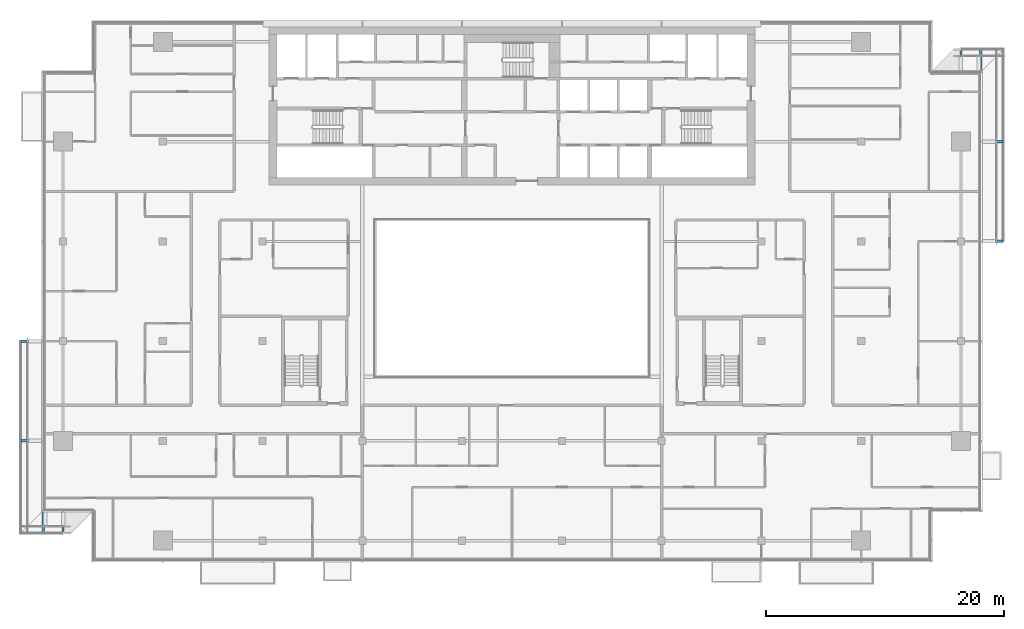
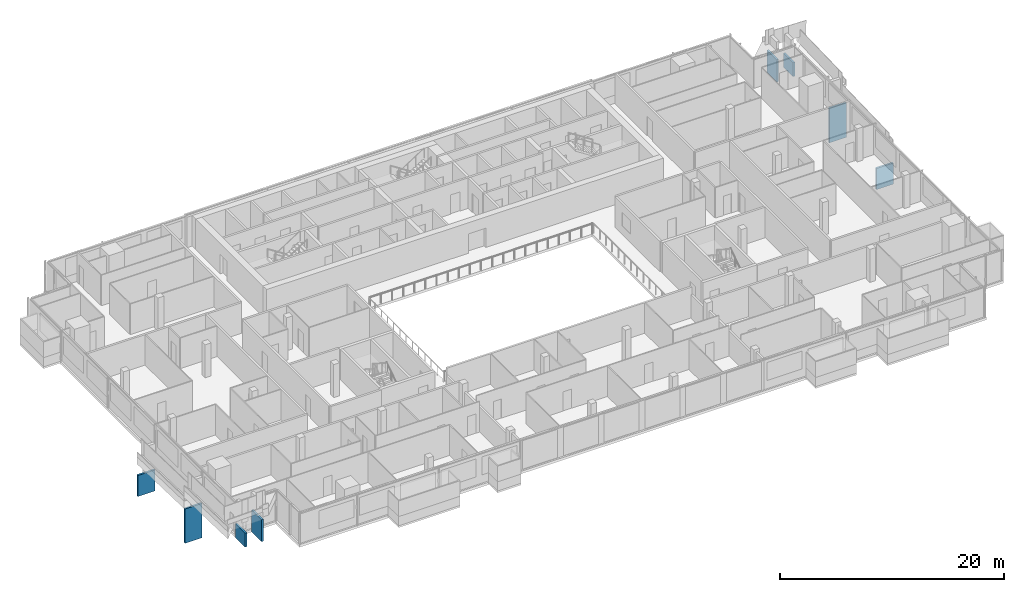
# One storey, part 26 of 30: 8 discrete accessories.
"""IFC4 building model written with IfcOpenShell, lengths in metres."""

from ifc_helpers import new_model, si_unit, direction, frame, origin, origin_2d, place, context, subcontext, project, spatial, rectangle, extrude, element, save


model = new_model("IFC4")

# Units and contexts
model_context = context("Model", 3, precision=1e-05, world=origin(), true_north=direction((0.0, 1.0)))
body_context = subcontext(model_context, "Body", "Model", "MODEL_VIEW")
ifc_project = project(units=[si_unit("LENGTHUNIT", "METRE"), si_unit("AREAUNIT", "SQUARE_METRE"), si_unit("VOLUMEUNIT", "CUBIC_METRE"), si_unit("PLANEANGLEUNIT", "RADIAN"), si_unit("MASSUNIT", "GRAM", prefix="KILO")], contexts=[model_context])

# Site, building, storey
site_placement = place(None, origin())
site = spatial("IfcSite", under=ifc_project, at=site_placement, CompositionType="ELEMENT")
building_placement = place(site_placement, origin())
building = spatial("IfcBuilding", under=site, at=building_placement, Name="Saffron Gate Tower", CompositionType="ELEMENT")
storey_placement = place(building_placement, frame((0.0, 0.0, 223.5)))
storey = spatial("IfcBuildingStorey", under=building, at=storey_placement, Name="L54", CompositionType="ELEMENT", Elevation=223.5)

# Discrete accessories
discrete_accessory_1_placement = place(storey_placement, frame((128.074951171875, 57.0, -3.8798828125), z_axis=(0.0, 0.0, 1.0), x_axis=(0.0, 1.0, 0.0)))
element("IfcDiscreteAccessory", 1, at=discrete_accessory_1_placement, inside=storey, Name="LEDGE rib", PredefinedType="BRACKET", context=body_context, shape_type="SweptSolid", body=[
    extrude(rectangle(XDim=0.199951171875, YDim=1.75, at=origin_2d()), origin(), (0.0, 0.0, 1.0), 2.293701171875),
])
discrete_accessory_2_placement = place(storey_placement, frame((128.074951171875, 65.39990234375, -3.8798828125), z_axis=(0.0, 0.0, 1.0), x_axis=(0.0, 1.0, 0.0)))
element("IfcDiscreteAccessory", 2, at=discrete_accessory_2_placement, inside=storey, Name="LEDGE rib", PredefinedType="BRACKET", context=body_context, shape_type="SweptSolid", body=[
    extrude(rectangle(XDim=0.199951171875, YDim=1.75, at=origin_2d()), origin(), (0.0, 0.0, 1.0), 3.736083984375),
])
discrete_accessory_3_placement = place(storey_placement, frame((127.080078125, 72.27490234375, -0.280029296875), z_axis=(0.0, 0.0, 1.0), x_axis=(-1.0, 0.0, 0.0)))
element("IfcDiscreteAccessory", 3, at=discrete_accessory_3_placement, inside=storey, Name="LEDGE rib", PredefinedType="BRACKET", context=body_context, shape_type="SweptSolid", body=[
    extrude(rectangle(XDim=0.199951171875, YDim=1.75, at=origin_2d()), origin(), (0.0, 0.0, 1.0), 1.50927734375),
])
discrete_accessory_4_placement = place(storey_placement, frame((125.39990234375, 72.27490234375, -0.280029296875), z_axis=(0.0, 0.0, 1.0), x_axis=(-1.0, 0.0, 0.0)))
element("IfcDiscreteAccessory", 4, at=discrete_accessory_4_placement, inside=storey, Name="LEDGE rib", PredefinedType="BRACKET", context=body_context, shape_type="SweptSolid", body=[
    extrude(rectangle(XDim=0.199951171875, YDim=1.75, at=origin_2d()), origin(), (0.0, 0.0, 1.0), 2.41845703125),
])
discrete_accessory_5_placement = place(storey_placement, frame((47.125, 48.60009765625, -3.8798828125), z_axis=(0.0, 0.0, 1.0), x_axis=(0.0, -1.0, 0.0)))
element("IfcDiscreteAccessory", 5, at=discrete_accessory_5_placement, inside=storey, Name="LEDGE rib", PredefinedType="BRACKET", context=body_context, shape_type="SweptSolid", body=[
    extrude(rectangle(XDim=0.199951171875, YDim=1.75, at=origin_2d()), origin(), (0.0, 0.0, 1.0), 2.293701171875),
])
discrete_accessory_6_placement = place(storey_placement, frame((47.125, 40.199951171875, -3.8798828125), z_axis=(0.0, 0.0, 1.0), x_axis=(0.0, -1.0, 0.0)))
element("IfcDiscreteAccessory", 6, at=discrete_accessory_6_placement, inside=storey, Name="LEDGE rib", PredefinedType="BRACKET", context=body_context, shape_type="SweptSolid", body=[
    extrude(rectangle(XDim=0.199951171875, YDim=1.75, at=origin_2d()), origin(), (0.0, 0.0, 1.0), 3.736083984375),
])
discrete_accessory_7_placement = place(storey_placement, frame((48.1201171875, 33.324951171875, -0.280029296875), z_axis=(0.0, 0.0, 1.0), x_axis=(1.0, 0.0, 0.0)))
element("IfcDiscreteAccessory", 7, at=discrete_accessory_7_placement, inside=storey, Name="LEDGE rib", PredefinedType="BRACKET", context=body_context, shape_type="SweptSolid", body=[
    extrude(rectangle(XDim=0.199951171875, YDim=1.75, at=origin_2d()), origin(), (0.0, 0.0, 1.0), 1.50927734375),
])
discrete_accessory_8_placement = place(storey_placement, frame((49.800048828125, 33.324951171875, -0.280029296875), z_axis=(0.0, 0.0, 1.0), x_axis=(1.0, 0.0, 0.0)))
element("IfcDiscreteAccessory", 8, at=discrete_accessory_8_placement, inside=storey, Name="LEDGE rib", PredefinedType="BRACKET", context=body_context, shape_type="SweptSolid", body=[
    extrude(rectangle(XDim=0.199951171875, YDim=1.75, at=origin_2d()), origin(), (0.0, 0.0, 1.0), 2.41845703125),
])

save(model, "model.ifc")
